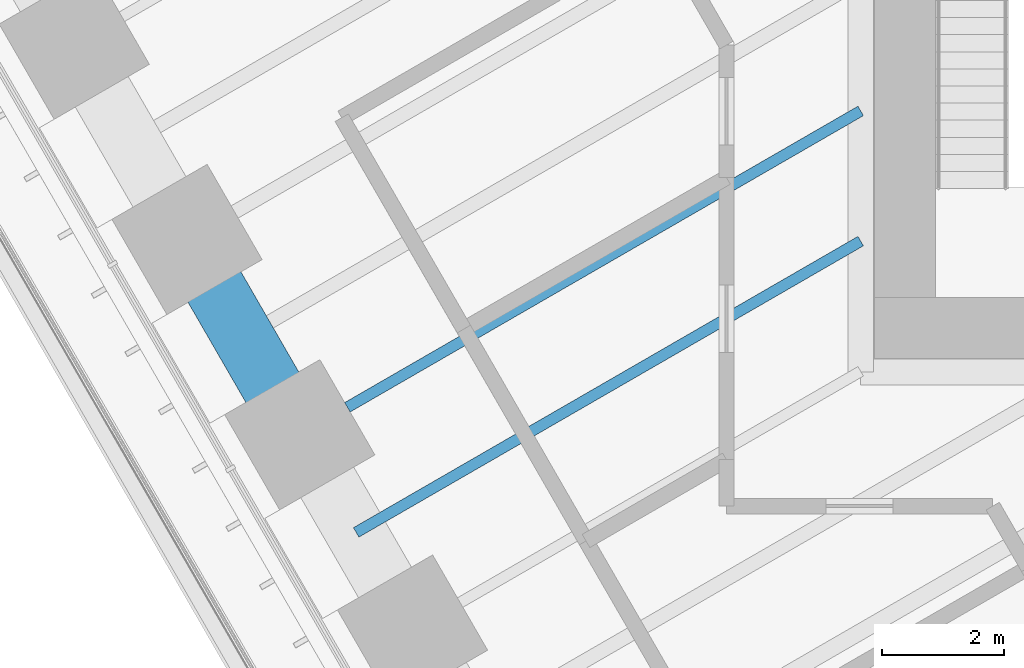
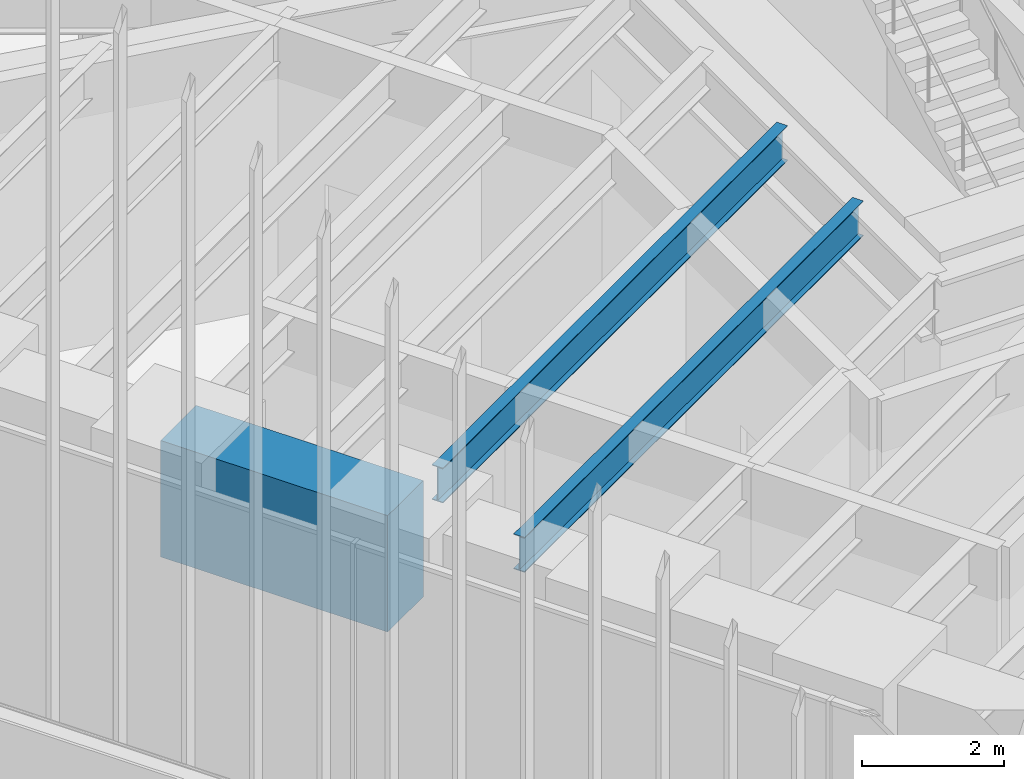
# One storey, part 54 of 228: 3 beams.
"""IFC4 building model written with IfcOpenShell, lengths in metres."""

from ifc_helpers import new_model, si_unit, direction, frame, origin, origin_2d, place, context, subcontext, project, spatial, rectangle, i_section, extrude, material, material_profile, profile_set, type_object, element, save


model = new_model("IFC4")

# Units and contexts
model_context = context("Model", 3, precision=1e-05, world=origin(), true_north=direction((0.0, 1.0)))
body_context = subcontext(model_context, "Body", "Model", "MODEL_VIEW")
ifc_project = project(units=[si_unit("LENGTHUNIT", "METRE"), si_unit("AREAUNIT", "SQUARE_METRE"), si_unit("VOLUMEUNIT", "CUBIC_METRE"), si_unit("PLANEANGLEUNIT", "RADIAN"), si_unit("MASSUNIT", "GRAM", prefix="KILO")], contexts=[model_context])

# Site, building, storey
site_placement = place(None, origin())
site = spatial("IfcSite", under=ifc_project, at=site_placement, CompositionType="ELEMENT")
building_placement = place(site_placement, origin())
building = spatial("IfcBuilding", under=site, at=building_placement, Name="Sandreach Pilgrim Tower", CompositionType="ELEMENT")
storey_placement = place(building_placement, frame((0.0, 0.0, 178.199951171875)))
storey = spatial("IfcBuildingStorey", under=building, at=storey_placement, Name="L44", CompositionType="ELEMENT", Elevation=178.199951171875)

# Beams
ifc_material_1 = material(Name="Steel ASTM A992 Grade 50", Category="steel")
ifc_material_profile_1 = material_profile(ifc_material_1, i_section(OverallWidth=0.1787109375, OverallDepth=0.60205078125, WebThickness=0.010986328125, FlangeThickness=0.014892578125, at=origin_2d()), Name="W24X62")
ifc_profile_set_1 = profile_set([ifc_material_profile_1], Name="Steel ASTM A992 Grade 50")
beam_type_1 = type_object("IfcBeamType", Name="Floor beam W24X62", PredefinedType="BEAM", material=ifc_profile_set_1)
beam_1_placement = place(storey_placement, frame((-17.377685546875, -7.901123046875, 4.5390625), z_axis=(0.866020964397, 0.500007689166, 0.0), x_axis=(-0.500007689166, 0.866020964397, 0.0)))
element("IfcBeam", 1, at=beam_1_placement, inside=storey, type_object=beam_type_1, Name="BM L44 F31", PredefinedType="BEAM", context=body_context, shape_type="SweptSolid", body=[
    extrude(i_section(OverallWidth=0.1787109375, OverallDepth=0.60205078125, WebThickness=0.010986328125, FlangeThickness=0.014892578125, at=origin_2d()), origin(), (0.0, 0.0, 1.0), 9.705810546875),
])
beam_2_placement = place(storey_placement, frame((-17.23388671875, -9.949951171875, 4.5390625), z_axis=(0.866020229892, 0.500008961337, 0.0), x_axis=(-0.500008961337, 0.866020229892, 0.0)))
element("IfcBeam", 2, at=beam_2_placement, inside=storey, type_object=beam_type_1, Name="BM L44 FM30", PredefinedType="BEAM", context=body_context, shape_type="SweptSolid", body=[
    extrude(i_section(OverallWidth=0.1787109375, OverallDepth=0.60205078125, WebThickness=0.010986328125, FlangeThickness=0.014892578125, at=origin_2d()), origin(), (0.0, 0.0, 1.0), 9.539794921875),
])
ifc_material_2 = material(Name="Concrete 10000 psi", Category="concrete")
ifc_material_profile_2 = material_profile(ifc_material_2, rectangle(XDim=1.0, YDim=2.0, at=origin_2d()), Name="RC1000X2000")
ifc_profile_set_2 = profile_set([ifc_material_profile_2], Name="Concrete 10000 psi")
beam_type_2 = type_object("IfcBeamType", Name="Spandrel beam RC1000X2000", PredefinedType="SPANDREL", material=ifc_profile_set_2)
beam_3_placement = place(storey_placement, frame((-18.1572265625, -8.35107421875, 3.840087890625), z_axis=(-0.499993363642, 0.866029235253, 0.0), x_axis=(-0.866029235253, -0.499993363642, 0.0)))
element("IfcBeam", 3, at=beam_3_placement, inside=storey, type_object=beam_type_2, Name="BM L44 SP31", PredefinedType="SPANDREL", context=body_context, shape_type="SweptSolid", body=[
    extrude(rectangle(XDim=1.0, YDim=2.0, at=origin_2d()), origin(), (0.0, 0.0, 1.0), 3.6923828125),
])

save(model, "model.ifc")
